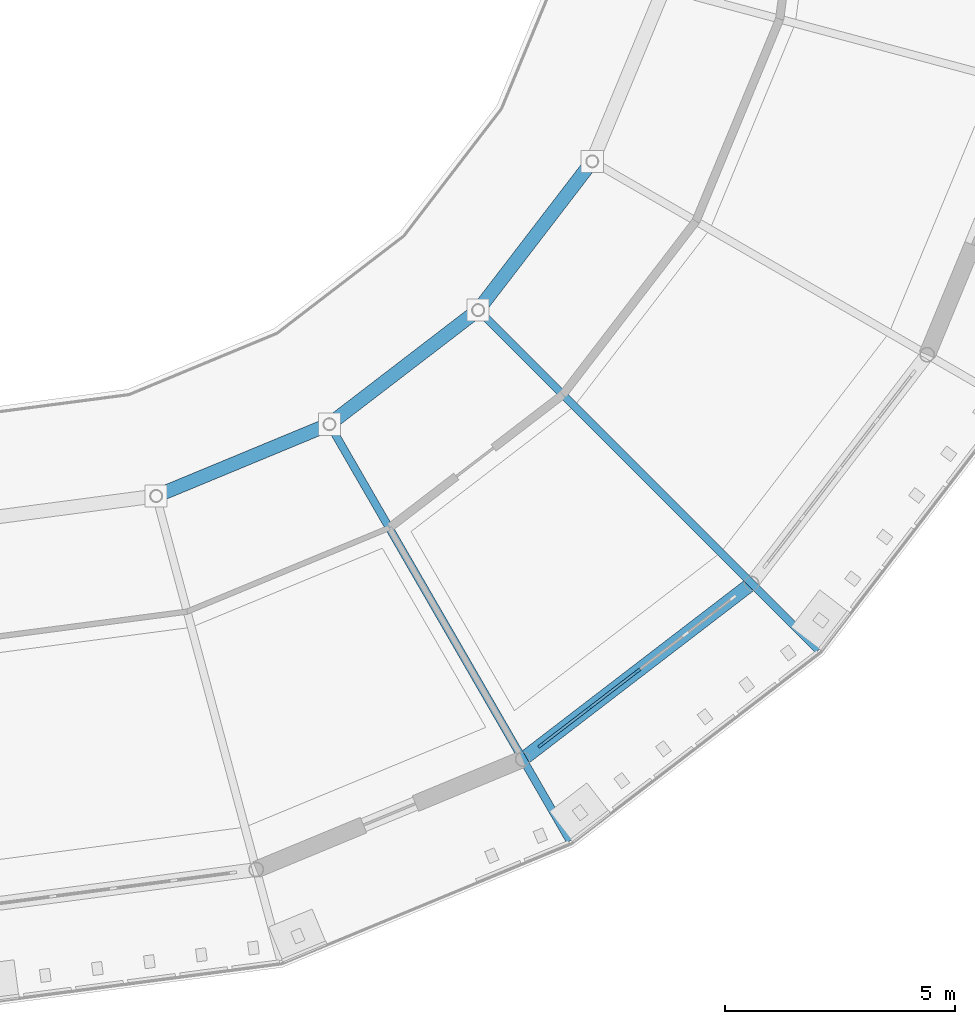
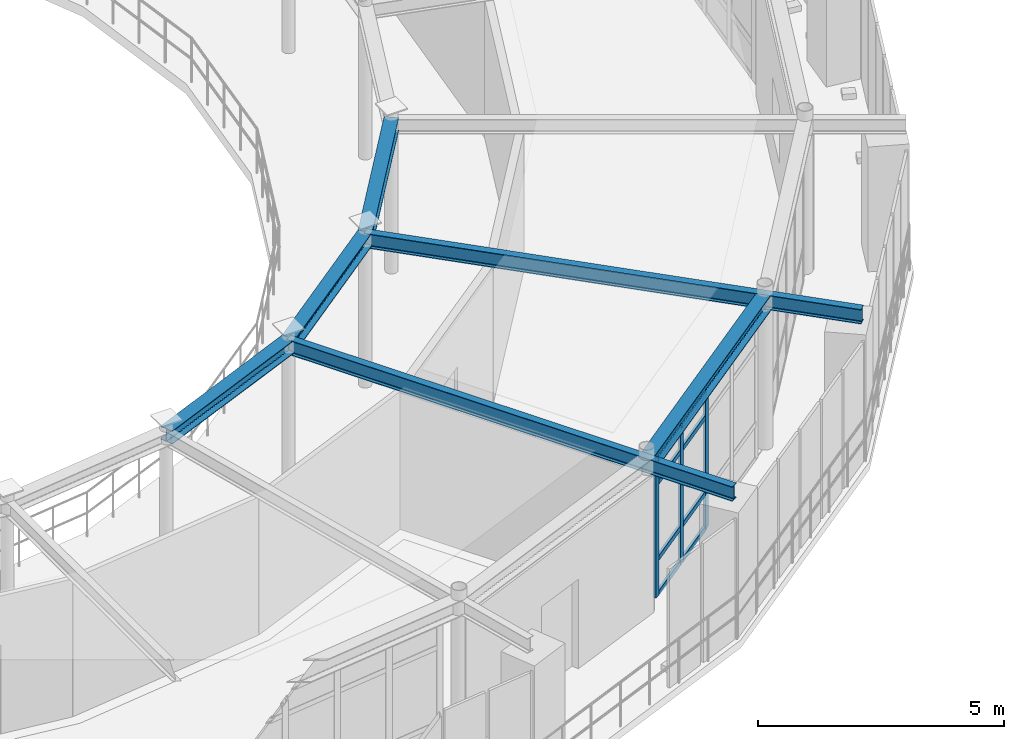
# One storey, part 24 of 70: 11 members, 6 beams, 1 element without a shape of its own.
"""IFC4 building model written with IfcOpenShell, lengths in metres."""

import ifcopenshell
import ifcopenshell.guid

model = None  # the IFC model being written
_history = None  # IfcOwnerHistory: only IFC2X3 demands one
_inside = {}  # id of a spatial element -> (the spatial element, [elements in it])
_under = {}  # id of a project, library or spatial element -> (it, [spatial elements below it])
_declared = {}  # id of a project -> (the project, [libraries it declares])
_typed = {}  # id of a type object -> (the type object, [elements of that type])
_made_of = {}  # id of a material, layer set ... -> (it, [elements and type objects made of it])


def new_model(schema):
    """Start an empty IFC model of exactly this schema.

    Asked for "IFC4X3", IfcOpenShell would pick the latest addendum, in which some entities
    have other attributes; the version numbers below select the first issue.
    IFC2X3 requires an IfcOwnerHistory on every rooted entity: one is made here for all.
    """
    global model, _history
    if schema == "IFC4X3":
        model = ifcopenshell.file(schema_version=(4, 3, 0, 0))
    else:
        model = ifcopenshell.file(schema=schema)
    _inside.clear()
    _under.clear()
    _declared.clear()
    _typed.clear()
    _made_of.clear()
    _history = None
    if model.schema == "IFC2X3":
        org = make("IfcOrganization", Name="unknown")
        user = make(
            "IfcPersonAndOrganization",
            ThePerson=make("IfcPerson", FamilyName="unknown"),
            TheOrganization=org,
        )
        app = make(
            "IfcApplication",
            ApplicationDeveloper=org,
            Version="unknown",
            ApplicationFullName="unknown",
            ApplicationIdentifier="unknown",
        )
        _history = make(
            "IfcOwnerHistory",
            OwningUser=user,
            OwningApplication=app,
            ChangeAction="ADDED",
            CreationDate=0,
        )
    return model


def make(cls, **values):
    """One entity of the class cls with the attributes given. An attribute that is None is left unset."""
    return model.create_entity(
        cls, **{name: value for name, value in values.items() if value is not None}
    )


def rooted(cls, **values):
    """An entity with a GlobalId (a new one), such as an element, a storey or a relation."""
    return make(cls, GlobalId=ifcopenshell.guid.new(), OwnerHistory=_history, **values)


def si_unit(unit_type, name, prefix=None):
    """IfcSIUnit, for example si_unit("LENGTHUNIT", "METRE", prefix="MILLI")."""
    return make("IfcSIUnit", UnitType=unit_type, Prefix=prefix, Name=name)


def derived_unit(unit_type, elements):
    """IfcDerivedUnit: a product of units, each with its exponent."""
    return make(
        "IfcDerivedUnit",
        Elements=[
            make("IfcDerivedUnitElement", Unit=unit, Exponent=power)
            for unit, power in elements
        ],
        UnitType=unit_type,
    )


def assignment(units):
    """IfcUnitAssignment: the units of a project."""
    return None if units is None else make("IfcUnitAssignment", Units=units)


def point(xyz):
    """IfcCartesianPoint."""
    return None if xyz is None else make("IfcCartesianPoint", Coordinates=xyz)


def direction(xyz):
    """IfcDirection."""
    return None if xyz is None else make("IfcDirection", DirectionRatios=xyz)


def frame(location, z_axis=None, x_axis=None):
    """IfcAxis2Placement3D, a coordinate frame: its origin and axes. An axis left out is left unset."""
    return make(
        "IfcAxis2Placement3D",
        Location=point(location),
        Axis=direction(z_axis),
        RefDirection=direction(x_axis),
    )


def frame_2d(location, x_axis=None):
    """IfcAxis2Placement2D, a coordinate frame in the plane: its origin and x axis."""
    return make(
        "IfcAxis2Placement2D", Location=point(location), RefDirection=direction(x_axis)
    )


def origin():
    """The frame at (0, 0, 0) with its axes left unset."""
    return frame((0.0, 0.0, 0.0))


def origin_2d():
    """The frame at (0, 0) in the plane with its x axis left unset."""
    return frame_2d((0.0, 0.0))


def place(relative_to, where):
    """IfcLocalPlacement: puts the frame where relative to a parent placement (None: the world)."""
    return make(
        "IfcLocalPlacement", PlacementRelTo=relative_to, RelativePlacement=where
    )


def context(
    kind, dimensions, precision=None, world=None, true_north=None, identifier=None
):
    """IfcGeometricRepresentationContext, for example the 3D "Model" context."""
    return make(
        "IfcGeometricRepresentationContext",
        ContextIdentifier=identifier,
        ContextType=kind,
        CoordinateSpaceDimension=dimensions,
        Precision=precision,
        WorldCoordinateSystem=world,
        TrueNorth=true_north,
    )


def subcontext(parent, identifier, kind, view, scale=None):
    """IfcGeometricRepresentationSubContext, for example "Body" below "Model"."""
    return make(
        "IfcGeometricRepresentationSubContext",
        ContextIdentifier=identifier,
        ContextType=kind,
        ParentContext=parent,
        TargetScale=scale,
        TargetView=view,
    )


def project(units=None, contexts=None):
    """IfcProject with its units and contexts."""
    return rooted(
        "IfcProject",
        Name="project",
        RepresentationContexts=contexts,
        UnitsInContext=assignment(units),
    )


def spatial(cls, under=None, at=None, **own):
    """A site, building, storey or space (cls), placed at a placement, below another one or the project."""
    s = rooted(cls, ObjectPlacement=at, **own)
    if under is not None:
        _under.setdefault(under.id(), (under, []))[1].append(s)
    return s


def profile(cls, at=None, kind="AREA", **sizes):
    """A parametric profile (cls). Its sizes go by their IFC names, for example OverallWidth=200.0."""
    return make(cls, ProfileType=kind, Position=at, **sizes)


def rectangle(**sizes):
    """IfcRectangleProfileDef."""
    return profile("IfcRectangleProfileDef", **sizes)


def i_section(**sizes):
    """IfcIShapeProfileDef."""
    return profile("IfcIShapeProfileDef", **sizes)


def extrude(swept, where, along, depth):
    """IfcExtrudedAreaSolid: the profile swept, set in the frame where, extruded along a direction by depth."""
    return make(
        "IfcExtrudedAreaSolid",
        SweptArea=swept,
        Position=where,
        ExtrudedDirection=direction(along),
        Depth=depth,
    )


def shape(context_of_items, identifier, shape_type, items):
    """IfcShapeRepresentation: the items that make up one representation, for example the "Body"."""
    return make(
        "IfcShapeRepresentation",
        ContextOfItems=context_of_items,
        RepresentationIdentifier=identifier,
        RepresentationType=shape_type,
        Items=items,
    )


def material(Name=None, Category=None):
    """IfcMaterial."""
    return make("IfcMaterial", Name=Name, Category=Category)


def layer(
    of_material, thickness, ventilated=None, Name=None, Category=None, Priority=None
):
    """IfcMaterialLayer: one layer of a wall or slab, of a material (None: an air gap)."""
    return make(
        "IfcMaterialLayer",
        Material=of_material,
        LayerThickness=thickness,
        IsVentilated=ventilated,
        Name=Name,
        Category=Category,
        Priority=Priority,
    )


def layer_set(layers, Name=None):
    """IfcMaterialLayerSet."""
    return make("IfcMaterialLayerSet", MaterialLayers=layers, LayerSetName=Name)


def material_profile(
    of_material, cross_section, Name=None, Category=None, Priority=None
):
    """IfcMaterialProfile: a cross section and its material."""
    return make(
        "IfcMaterialProfile",
        Name=Name,
        Material=of_material,
        Profile=cross_section,
        Priority=Priority,
        Category=Category,
    )


def profile_set(profiles, Name=None, composite=None):
    """IfcMaterialProfileSet."""
    return make(
        "IfcMaterialProfileSet",
        Name=Name,
        MaterialProfiles=profiles,
        CompositeProfile=composite,
    )


def made_of(thing, what):
    """Note that an element or type object is made of a material, layer set ...; save() writes the relation."""
    if what is not None:
        _made_of.setdefault(what.id(), (what, []))[1].append(thing)
    return thing


def type_object(cls, material=None, **own):
    """A type object (cls), such as IfcWallType, which elements share."""
    return made_of(rooted(cls, **own), material)


def element(
    cls,
    number,
    at=None,
    inside=None,
    cuts=None,
    type_object=None,
    material=None,
    context=None,
    identifier="Body",
    shape_type=None,
    held_by="IfcProductDefinitionShape",
    body=None,
    shapes=None,
    **own,
):
    """One element of the class cls, such as IfcWall. Its Tag is "e" and its number.

    at: its placement. inside: the storey or other place that contains it. cuts: it is an
    opening in that element (IfcRelVoidsElement). A single representation is given by context,
    identifier, shape_type and body (its items); several are given by shapes. held_by: the class
    of the entity that holds the representations. save() writes the other relations.
    """
    e = rooted(cls, Tag="e%d" % number, ObjectPlacement=at, **own)
    if body is not None:
        shapes = [shape(context, identifier, shape_type, body)]
    if shapes is not None:
        e.Representation = make(held_by, Representations=shapes)
    if inside is not None:
        _inside.setdefault(inside.id(), (inside, []))[1].append(e)
    if cuts is not None:
        rooted(
            "IfcRelVoidsElement", RelatingBuildingElement=cuts, RelatedOpeningElement=e
        )
    if type_object is not None:
        _typed.setdefault(type_object.id(), (type_object, []))[1].append(e)
    return made_of(e, material)


def aggregate(whole, parts):
    """IfcRelAggregates: a whole, such as a stair, and the parts it consists of."""
    return rooted("IfcRelAggregates", RelatingObject=whole, RelatedObjects=parts)


def save(model, path):
    """Write the relations noted so far, then the file.

    IfcRelAggregates (storeys below a building ...), IfcRelContainedInSpatialStructure (elements
    in a storey), IfcRelDefinesByType, IfcRelAssociatesMaterial and IfcRelDeclares: one each for
    every whole, place, type object, material and project.
    """
    for whole, parts in _under.values():
        aggregate(whole, parts)
    for where, things in _inside.values():
        rooted(
            "IfcRelContainedInSpatialStructure",
            RelatedElements=things,
            RelatingStructure=where,
        )
    for kind, things in _typed.values():
        rooted("IfcRelDefinesByType", RelatedObjects=things, RelatingType=kind)
    for what, things in _made_of.values():
        rooted("IfcRelAssociatesMaterial", RelatedObjects=things, RelatingMaterial=what)
    for by, libraries in _declared.values():
        rooted("IfcRelDeclares", RelatingContext=by, RelatedDefinitions=libraries)
    model.write(path)


model = new_model("IFC4")

# Units and contexts
model_context = context("Model", 3, precision=1e-05, world=origin(), true_north=direction((0.0, 1.0)))
body_context = subcontext(model_context, "Body", "Model", "MODEL_VIEW")
ifc_project = project(units=[si_unit("LENGTHUNIT", "METRE"), si_unit("AREAUNIT", "SQUARE_METRE"), si_unit("VOLUMEUNIT", "CUBIC_METRE"), si_unit("PLANEANGLEUNIT", "RADIAN"), si_unit("MASSUNIT", "GRAM", prefix="KILO"), derived_unit("THERMALTRANSMITTANCEUNIT", [(si_unit("POWERUNIT", "WATT"), 1), (si_unit("AREAUNIT", "SQUARE_METRE"), -1), (si_unit("THERMODYNAMICTEMPERATUREUNIT", "KELVIN"), -1)])], contexts=[model_context])

# Site, building, storey
site_placement = place(None, origin())
site = spatial("IfcSite", under=ifc_project, at=site_placement, CompositionType="ELEMENT")
building_placement = place(site_placement, origin())
building = spatial("IfcBuilding", under=site, at=building_placement, Name="Yasenodar Specialist Clinic", CompositionType="ELEMENT")
storey_placement = place(building_placement, frame((0.0, 0.0, 13.199951171875)))
storey = spatial("IfcBuildingStorey", under=building, at=storey_placement, Name="L03", CompositionType="ELEMENT", Elevation=13.199951171875)

# Beams
ifc_material_1 = material(Name="Steel S355", Category="steel")
ifc_material_profile_1 = material_profile(ifc_material_1, i_section(OverallWidth=0.300048828125, OverallDepth=0.330078125, WebThickness=0.009521484375, FlangeThickness=0.0166015625, FilletRadius=0.027099609375, at=origin_2d()), Name="HEA 340")
ifc_profile_set_1 = profile_set([ifc_material_profile_1], Name="Steel S355")
beam_type_1 = type_object("IfcBeamType", Name="BM-HEA340", PredefinedType="BEAM", material=ifc_profile_set_1)
for number, where, z_axis, x_axis, name in (
    (1, (85.03759765625, 43.731689453125, 3.635009765625), (0.92388896868, 0.382660650645, 0.0), (-0.382660650645, 0.92388896868, 0.0), "L03 Drum V1 Inner Ring Beam"),
    (2, (88.800048828125, 45.2900390625, 3.635009765625), (0.793376657722, 0.608731039936, 0.0), (-0.608731039936, 0.793376657722, 0.0), "L03 Drum V1 Inner Ring Beam"),
    (3, (92.031005859375, 47.76904296875, 3.635009765625), (0.608731039936, 0.793376657722, 0.0), (-0.793376657722, 0.608731039936, 0.0), "L03 Drum V1 Inner Ring Beam"),
):
    element("IfcBeam", number, at=place(storey_placement, frame(where, z_axis=z_axis, x_axis=x_axis)), inside=storey, type_object=beam_type_1, Name=name, PredefinedType="BEAM", context=body_context, shape_type="SweptSolid", body=[
        extrude(i_section(OverallWidth=0.300048828125, OverallDepth=0.330078125, WebThickness=0.009521484375, FlangeThickness=0.0166015625, FilletRadius=0.027099609375, at=origin_2d()), origin(), (0.0, 0.0, 1.0), 4.072509765625),
    ])
ifc_material_profile_2 = material_profile(ifc_material_1, i_section(OverallWidth=0.300048828125, OverallDepth=0.389892578125, WebThickness=0.010986328125, FlangeThickness=0.01904296875, FilletRadius=0.027099609375, at=origin_2d()), Name="HEA 400")
ifc_profile_set_2 = profile_set([ifc_material_profile_2], Name="Steel S355")
beam_type_2 = type_object("IfcBeamType", Name="BM-HEA400", PredefinedType="BEAM", material=ifc_profile_set_2)
beam_placement = place(storey_placement, frame((93.0, 38.015380859375, 3.60498046875), z_axis=(0.793367971845, 0.608742360322, 0.0), x_axis=(-0.608742360322, 0.793367971845, 0.0)))
element("IfcBeam", 4, at=beam_placement, inside=storey, type_object=beam_type_2, Name="L03 Drum V1 Perimeter Ring Beam", PredefinedType="BEAM", context=body_context, shape_type="SweptSolid", body=[
    extrude(i_section(OverallWidth=0.300048828125, OverallDepth=0.389892578125, WebThickness=0.010986328125, FlangeThickness=0.01904296875, FilletRadius=0.027099609375, at=origin_2d()), origin(), (0.0, 0.0, 1.0), 6.265380859375),
])
ifc_material_profile_3 = material_profile(ifc_material_1, i_section(OverallWidth=0.169921875, OverallDepth=0.360107421875, WebThickness=0.008056640625, FlangeThickness=0.0126953125, FilletRadius=0.01806640625, at=origin_2d()), Name="IPE 360")
ifc_profile_set_3 = profile_set([ifc_material_profile_3], Name="Steel S355")
beam_type_3 = type_object("IfcBeamType", Name="BM-IPE360", PredefinedType="BEAM", material=ifc_profile_set_3)
for number, where, z_axis, x_axis, name in (
    (5, (88.800048828125, 45.2900390625, 3.6201171875), (0.499986032603, -0.866033467715, 0.0), (0.866033467715, 0.499986032603, 0.0), "L03 Drum V1 Radial Back-Spanned Cantilever Beam"),
    (6, (92.031005859375, 47.76904296875, 3.6201171875), (0.707106781187, -0.707106781187, 0.0), (0.707106781187, 0.707106781187, 0.0), "L03 Drum V1 Radial Back-Spanned Cantilever Beam"),
):
    element("IfcBeam", number, at=place(storey_placement, frame(where, z_axis=z_axis, x_axis=x_axis)), inside=storey, type_object=beam_type_3, Name=name, PredefinedType="BEAM", context=body_context, shape_type="SweptSolid", body=[
        extrude(i_section(OverallWidth=0.169921875, OverallDepth=0.360107421875, WebThickness=0.008056640625, FlangeThickness=0.0126953125, FilletRadius=0.01806640625, at=origin_2d()), origin(), (0.0, 0.0, 1.0), 10.449951171875),
    ])

# Curtain wall, members
ifc_material_2 = material(Name="Bronze Anodized Aluminium and Triple Low-E Glass", Category="aluminium")
ifc_layer = layer(ifc_material_2, 0.1669921875)
ifc_layer_set = layer_set([ifc_layer], Name="Bronze Anodized Aluminium and Triple Low-E Glass")
curtain_wall_type = type_object("IfcCurtainWallType", Name="CW-SYS-01", PredefinedType="USERDEFINED", material=ifc_layer_set)
curtain_wall_placement = place(storey_placement, origin())
curtain_wall = element("IfcCurtainWall", 7, at=curtain_wall_placement, inside=storey, type_object=curtain_wall_type, Name="L03 Unitised Curtain Wall 053", ObjectType="UNITISED CURTAIN WALL", PredefinedType="USERDEFINED")
ifc_material_3 = material(Name="Bronze Anodized Aluminium", Category="aluminium")
ifc_material_profile_4 = material_profile(ifc_material_3, rectangle(XDim=0.06005859375, YDim=0.159912109375, at=origin_2d()), Name="CW-MULL 60x160")
ifc_profile_set_4 = profile_set([ifc_material_profile_4], Name="Bronze Anodized Aluminium")
member_type_1 = type_object("IfcMemberType", Name="CW-MULL-160", PredefinedType="MULLION", material=ifc_profile_set_4)
member_1_placement = place(storey_placement, frame((95.4853515625, 39.92236328125, 0.0), z_axis=(0.0, 0.0, 1.0), x_axis=(0.608752021844, -0.793360558574, 0.0)))
member_1 = element("IfcMember", 8, at=member_1_placement, type_object=member_type_1, Name="CW-01 mullion 3", PredefinedType="MULLION", context=body_context, shape_type="SweptSolid", body=[
    extrude(rectangle(XDim=0.06005859375, YDim=0.159912109375, at=origin_2d()), origin(), (0.0, 0.0, 1.0), 3.387939453125),
])
member_2_placement = place(storey_placement, frame((94.43310546875, 39.114990234375, 0.0), z_axis=(0.0, 0.0, 1.0), x_axis=(0.608752021844, -0.793360558574, 0.0)))
member_2 = element("IfcMember", 9, at=member_2_placement, type_object=member_type_1, Name="CW-01 mullion 4", PredefinedType="MULLION", context=body_context, shape_type="SweptSolid", body=[
    extrude(rectangle(XDim=0.06005859375, YDim=0.159912109375, at=origin_2d()), origin(), (0.0, 0.0, 1.0), 3.387939453125),
])
member_3_placement = place(storey_placement, frame((93.404541015625, 38.325927734375, 0.0), z_axis=(0.0, 0.0, 1.0), x_axis=(0.608752021844, -0.793360558574, 0.0)))
member_3 = element("IfcMember", 10, at=member_3_placement, type_object=member_type_1, Name="CW-01 mullion 5", PredefinedType="MULLION", context=body_context, shape_type="SweptSolid", body=[
    extrude(rectangle(XDim=0.06005859375, YDim=0.159912109375, at=origin_2d()), origin(), (0.0, 0.0, 1.0), 3.387939453125),
])
ifc_material_profile_5 = material_profile(ifc_material_3, rectangle(XDim=0.06005859375, YDim=0.1201171875, at=origin_2d()), Name="CW-TRAN 60x120")
ifc_profile_set_5 = profile_set([ifc_material_profile_5], Name="Bronze Anodized Aluminium")
member_type_2 = type_object("IfcMemberType", Name="CW-TRAN-120", PredefinedType="USERDEFINED", material=ifc_profile_set_5)
member_4_placement = place(storey_placement, frame((95.46142578125, 39.904052734375, 0.030029296875), z_axis=(-0.793404604701, -0.608694614104, 0.0), x_axis=(0.608694614104, -0.793404604701, 0.0)))
member_4 = element("IfcMember", 11, at=member_4_placement, type_object=member_type_2, Name="CW-01 transom 3.1", ObjectType="TRANSOM", PredefinedType="USERDEFINED", context=body_context, shape_type="SweptSolid", body=[
    extrude(rectangle(XDim=0.06005859375, YDim=0.1201171875, at=origin_2d()), origin(), (0.0, 0.0, 1.0), 1.266357421875),
])
member_5_placement = place(storey_placement, frame((95.46142578125, 39.904052734375, 0.900146484375), z_axis=(-0.793404604701, -0.608694614104, 0.0), x_axis=(0.608694614104, -0.793404604701, 0.0)))
member_5 = element("IfcMember", 12, at=member_5_placement, type_object=member_type_2, Name="CW-01 transom 3.2", ObjectType="TRANSOM", PredefinedType="USERDEFINED", context=body_context, shape_type="SweptSolid", body=[
    extrude(rectangle(XDim=0.06005859375, YDim=0.1201171875, at=origin_2d()), origin(), (0.0, 0.0, 1.0), 1.266357421875),
])
member_6_placement = place(storey_placement, frame((95.46142578125, 39.904052734375, 2.7880859375), z_axis=(-0.793404604701, -0.608694614104, 0.0), x_axis=(0.608694614104, -0.793404604701, 0.0)))
member_6 = element("IfcMember", 13, at=member_6_placement, type_object=member_type_2, Name="CW-01 transom 3.3", ObjectType="TRANSOM", PredefinedType="USERDEFINED", context=body_context, shape_type="SweptSolid", body=[
    extrude(rectangle(XDim=0.06005859375, YDim=0.1201171875, at=origin_2d()), origin(), (0.0, 0.0, 1.0), 1.266357421875),
])
member_7_placement = place(storey_placement, frame((95.46142578125, 39.904052734375, 3.358154296875), z_axis=(-0.793404604701, -0.608694614104, 0.0), x_axis=(0.608694614104, -0.793404604701, 0.0)))
member_7 = element("IfcMember", 14, at=member_7_placement, type_object=member_type_2, Name="CW-01 transom 3.4", ObjectType="TRANSOM", PredefinedType="USERDEFINED", context=body_context, shape_type="SweptSolid", body=[
    extrude(rectangle(XDim=0.06005859375, YDim=0.1201171875, at=origin_2d()), origin(), (0.0, 0.0, 1.0), 1.266357421875),
])
member_8_placement = place(storey_placement, frame((94.4091796875, 39.0966796875, 0.030029296875), z_axis=(-0.793386964626, -0.608717606417, 0.0), x_axis=(0.608717606417, -0.793386964626, 0.0)))
member_8 = element("IfcMember", 15, at=member_8_placement, type_object=member_type_2, Name="CW-01 transom 4.1", ObjectType="TRANSOM", PredefinedType="USERDEFINED", context=body_context, shape_type="SweptSolid", body=[
    extrude(rectangle(XDim=0.06005859375, YDim=0.1201171875, at=origin_2d()), origin(), (0.0, 0.0, 1.0), 1.236083984375),
])
member_9_placement = place(storey_placement, frame((94.4091796875, 39.0966796875, 0.900146484375), z_axis=(-0.793386964626, -0.608717606417, 0.0), x_axis=(0.608717606417, -0.793386964626, 0.0)))
member_9 = element("IfcMember", 16, at=member_9_placement, type_object=member_type_2, Name="CW-01 transom 4.2", ObjectType="TRANSOM", PredefinedType="USERDEFINED", context=body_context, shape_type="SweptSolid", body=[
    extrude(rectangle(XDim=0.06005859375, YDim=0.1201171875, at=origin_2d()), origin(), (0.0, 0.0, 1.0), 1.236083984375),
])
member_10_placement = place(storey_placement, frame((94.4091796875, 39.0966796875, 2.7880859375), z_axis=(-0.793386964626, -0.608717606417, 0.0), x_axis=(0.608717606417, -0.793386964626, 0.0)))
member_10 = element("IfcMember", 17, at=member_10_placement, type_object=member_type_2, Name="CW-01 transom 4.3", ObjectType="TRANSOM", PredefinedType="USERDEFINED", context=body_context, shape_type="SweptSolid", body=[
    extrude(rectangle(XDim=0.06005859375, YDim=0.1201171875, at=origin_2d()), origin(), (0.0, 0.0, 1.0), 1.236083984375),
])
member_11_placement = place(storey_placement, frame((94.4091796875, 39.0966796875, 3.358154296875), z_axis=(-0.793386964626, -0.608717606417, 0.0), x_axis=(0.608717606417, -0.793386964626, 0.0)))
member_11 = element("IfcMember", 18, at=member_11_placement, type_object=member_type_2, Name="CW-01 transom 4.4", ObjectType="TRANSOM", PredefinedType="USERDEFINED", context=body_context, shape_type="SweptSolid", body=[
    extrude(rectangle(XDim=0.06005859375, YDim=0.1201171875, at=origin_2d()), origin(), (0.0, 0.0, 1.0), 1.236083984375),
])
aggregate(curtain_wall, [member_1, member_2, member_3, member_4, member_5, member_6, member_7, member_8, member_9, member_10, member_11])

save(model, "model.ifc")
